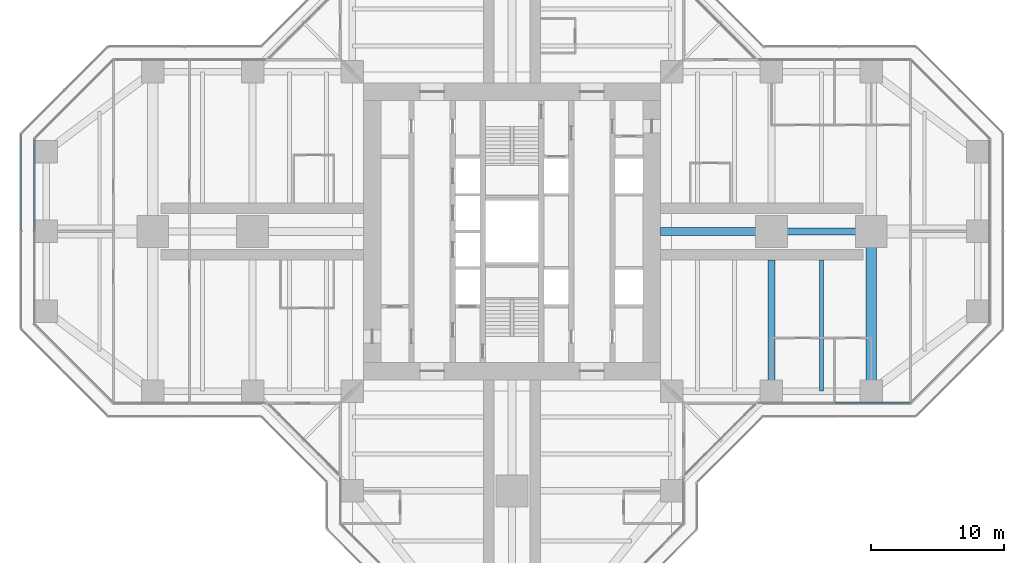
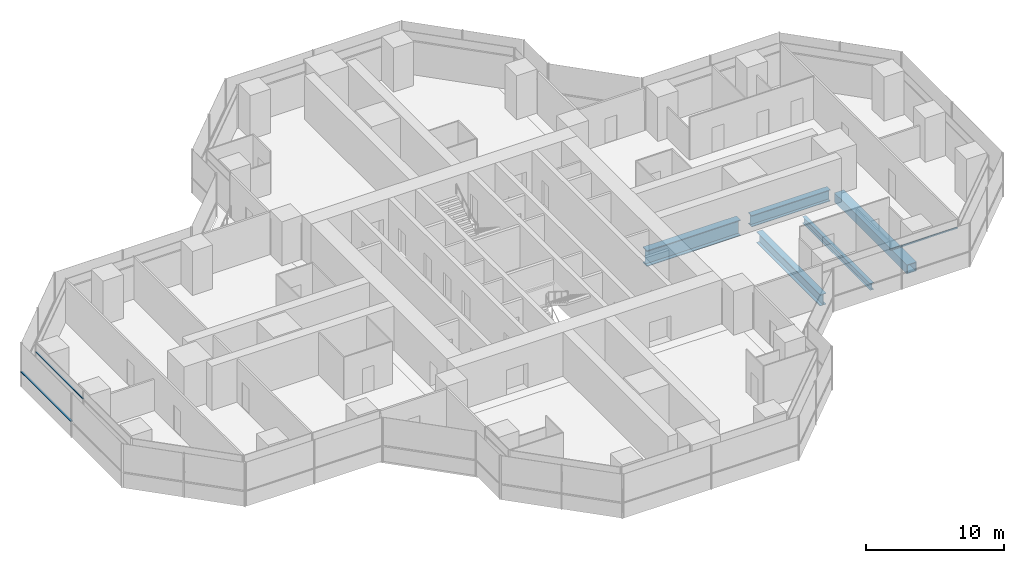
# One storey, part 6 of 20: 5 beams, 3 members, 3 elements without a shape of their own.
"""IFC4 building model written with IfcOpenShell, lengths in metres."""

from ifc_helpers import new_model, si_unit, direction, frame, origin, origin_2d, place, context, subcontext, project, spatial, rectangle, hollow_rectangle, i_section, extrude, material, material_profile, profile_set, type_object, element, aggregate, save


model = new_model("IFC4")

# Units and contexts
model_context = context("Model", 3, precision=1e-05, world=origin(), true_north=direction((0.0, 1.0)))
body_context = subcontext(model_context, "Body", "Model", "MODEL_VIEW")
ifc_project = project(units=[si_unit("LENGTHUNIT", "METRE"), si_unit("AREAUNIT", "SQUARE_METRE"), si_unit("VOLUMEUNIT", "CUBIC_METRE"), si_unit("PLANEANGLEUNIT", "RADIAN"), si_unit("MASSUNIT", "GRAM", prefix="KILO")], contexts=[model_context])

# Site, building, storey
site_placement = place(None, origin())
site = spatial("IfcSite", under=ifc_project, at=site_placement, CompositionType="ELEMENT")
building_placement = place(site_placement, origin())
building = spatial("IfcBuilding", under=site, at=building_placement, Name="Mizan Broadcast Tower", CompositionType="ELEMENT")
storey_placement = place(building_placement, frame((0.0, 0.0, 147.60009765625)))
storey = spatial("IfcBuildingStorey", under=building, at=storey_placement, Name="L33", CompositionType="ELEMENT", Elevation=147.60009765625)

# Beams
ifc_material_1 = material(Name="Steel S460", Category="steel")
ifc_material_profile_1 = material_profile(ifc_material_1, hollow_rectangle(XDim=0.800048828125, YDim=0.800048828125, WallThickness=0.050048828125, at=origin_2d()), Name="BOX 800x800x50")
ifc_profile_set_1 = profile_set([ifc_material_profile_1], Name="Steel S460")
beam_type_1 = type_object("IfcBeamType", Name="GIRDER BOX 800x800x50", PredefinedType="BEAM", material=ifc_profile_set_1)
beam_1_placement = place(storey_placement, frame((27.0, -11.280029296875, -0.530029296875), z_axis=(0.0, 1.0, 0.0), x_axis=(-1.0, 0.0, 0.0)))
element("IfcBeam", 1, at=beam_1_placement, inside=storey, type_object=beam_type_1, Name="Girder BOX 800x800x50 L33 east arm", PredefinedType="BEAM", context=body_context, shape_type="SweptSolid", body=[
    extrude(hollow_rectangle(XDim=0.800048828125, YDim=0.800048828125, WallThickness=0.050048828125, at=origin_2d()), origin(), (0.0, 0.0, 1.0), 10.56005859375),
])
ifc_material_2 = material(Name="Steel S460", Category="steel")
ifc_material_profile_2 = material_profile(ifc_material_2, i_section(OverallWidth=0.5, OverallDepth=1.0, WebThickness=0.02490234375, FlangeThickness=0.050048828125, at=origin_2d()), Name="WPG 1000x500")
ifc_profile_set_2 = profile_set([ifc_material_profile_2], Name="Steel S460")
beam_type_2 = type_object("IfcBeamType", Name="GIRDER WPG 1000x500", PredefinedType="BEAM", material=ifc_profile_set_2)
beam_2_placement = place(storey_placement, frame((19.949951171875, 0.0, -0.630126953125), z_axis=(1.0, 0.0, 0.0), x_axis=(0.0, 1.0, 0.0)))
element("IfcBeam", 2, at=beam_2_placement, inside=storey, type_object=beam_type_2, Name="Girder WPG 1000x500 L33 east arm", PredefinedType="BEAM", context=body_context, shape_type="SweptSolid", body=[
    extrude(i_section(OverallWidth=0.5, OverallDepth=1.0, WebThickness=0.02490234375, FlangeThickness=0.050048828125, at=origin_2d()), origin(), (0.0, 0.0, 1.0), 6.60009765625),
])
beam_3_placement = place(storey_placement, frame((19.5, -11.408935546875, -0.630126953125), z_axis=(0.0, 1.0, 0.0), x_axis=(-1.0, 0.0, 0.0)))
element("IfcBeam", 3, at=beam_3_placement, inside=storey, type_object=beam_type_2, Name="Girder WPG 1000x500 L33 east arm", PredefinedType="BEAM", context=body_context, shape_type="SweptSolid", body=[
    extrude(i_section(OverallWidth=0.5, OverallDepth=1.0, WebThickness=0.02490234375, FlangeThickness=0.050048828125, at=origin_2d()), origin(), (0.0, 0.0, 1.0), 9.259033203125),
])
ifc_material_3 = material(Name="Steel S460", Category="steel")
ifc_material_profile_3 = material_profile(ifc_material_3, i_section(OverallWidth=0.60009765625, OverallDepth=1.39990234375, WebThickness=0.02490234375, FlangeThickness=0.06005859375, at=origin_2d()), Name="WPG 1400x600")
ifc_profile_set_3 = profile_set([ifc_material_profile_3], Name="Steel S460")
beam_type_3 = type_object("IfcBeamType", Name="GIRDER WPG 1400x600", PredefinedType="BEAM", material=ifc_profile_set_3)
beam_4_placement = place(storey_placement, frame((11.14990234375, 0.0, -0.830078125), z_axis=(1.0, 0.0, 0.0), x_axis=(0.0, 1.0, 0.0)))
element("IfcBeam", 4, at=beam_4_placement, inside=storey, type_object=beam_type_3, Name="Girder WPG 1400x600 L33 east arm", PredefinedType="BEAM", context=body_context, shape_type="SweptSolid", body=[
    extrude(i_section(OverallWidth=0.60009765625, OverallDepth=1.39990234375, WebThickness=0.02490234375, FlangeThickness=0.06005859375, at=origin_2d()), origin(), (0.0, 0.0, 1.0), 7.84912109375),
])

# Curtain wall, member
ifc_material_4 = material(Name="Aluminium framed glazing", Category="aluminium")
curtain_wall_type_1 = type_object("IfcCurtainWallType", Name="INNER SKIN MID ZONE", PredefinedType="USERDEFINED", material=ifc_material_4)
curtain_wall_1_placement = place(storey_placement, origin())
curtain_wall_1 = element("IfcCurtainWall", 5, at=curtain_wall_1_placement, inside=storey, type_object=curtain_wall_type_1, Name="Inner skin mid zone L33 E side", ObjectType="INNER SKIN MID ZONE", PredefinedType="USERDEFINED")
ifc_material_5 = material(Name="Aluminium, pale anodised", Category="aluminium")
ifc_material_profile_4 = material_profile(ifc_material_5, rectangle(XDim=0.1201171875, YDim=0.06005859375, at=origin_2d()), Name="TRANSOM 120x60")
ifc_profile_set_4 = profile_set([ifc_material_profile_4], Name="Aluminium, pale anodised")
member_type_1 = type_object("IfcMemberType", Name="INNER SKIN TRANSOM 60x120", PredefinedType="USERDEFINED", material=ifc_profile_set_4)
member_1_placement = place(storey_placement, frame((24.25927734375, -12.89990234375, 3.02978515625), z_axis=(1.0, 0.0, 0.0), x_axis=(0.0, 1.0, 0.0)))
member_1 = element("IfcMember", 6, at=member_1_placement, type_object=member_type_1, Name="Inner skin mid zone L33 E side transom 2.1", ObjectType="TRANSOM", PredefinedType="USERDEFINED", context=body_context, shape_type="SweptSolid", body=[
    extrude(rectangle(XDim=0.1201171875, YDim=0.06005859375, at=origin_2d()), origin(), (0.0, 0.0, 1.0), 5.639404296875),
])
aggregate(curtain_wall_1, [member_1])

curtain_wall_2_placement = place(storey_placement, origin())
curtain_wall_2 = element("IfcCurtainWall", 7, at=curtain_wall_2_placement, inside=storey, type_object=curtain_wall_type_1, Name="Inner skin mid zone L33 W end", ObjectType="INNER SKIN MID ZONE", PredefinedType="USERDEFINED")
member_2_placement = place(storey_placement, frame((-35.89990234375, 6.898681640625, 3.02978515625), z_axis=(0.0, -1.0, 0.0), x_axis=(1.0, 0.0, 0.0)))
member_2 = element("IfcMember", 8, at=member_2_placement, type_object=member_type_1, Name="Inner skin mid zone L33 W end transom 1.1", ObjectType="TRANSOM", PredefinedType="USERDEFINED", context=body_context, shape_type="SweptSolid", body=[
    extrude(rectangle(XDim=0.1201171875, YDim=0.06005859375, at=origin_2d()), origin(), (0.0, 0.0, 1.0), 6.86865234375),
])
aggregate(curtain_wall_2, [member_2])

ifc_material_6 = material(Name="Aluminium framed glazing", Category="aluminium")
curtain_wall_type_2 = type_object("IfcCurtainWallType", Name="OUTER SKIN", PredefinedType="USERDEFINED", material=ifc_material_6)
curtain_wall_3_placement = place(storey_placement, origin())
curtain_wall_3 = element("IfcCurtainWall", 9, at=curtain_wall_3_placement, inside=storey, type_object=curtain_wall_type_2, Name="Outer skin L33 W end", ObjectType="OUTER SKIN", PredefinedType="USERDEFINED")
ifc_material_7 = material(Name="Aluminium, pale anodised", Category="aluminium")
ifc_material_profile_5 = material_profile(ifc_material_7, rectangle(XDim=0.159912109375, YDim=0.06005859375, at=origin_2d()), Name="TRANSOM 160x60")
ifc_profile_set_5 = profile_set([ifc_material_profile_5], Name="Aluminium, pale anodised")
member_type_2 = type_object("IfcMemberType", Name="OUTER SKIN TRANSOM 60x160", PredefinedType="USERDEFINED", material=ifc_profile_set_5)
member_3_placement = place(storey_placement, frame((-36.89990234375, 7.292724609375, 1.39990234375), z_axis=(0.0, -1.0, 0.0), x_axis=(1.0, 0.0, 0.0)))
member_3 = element("IfcMember", 10, at=member_3_placement, type_object=member_type_2, Name="Outer skin L33 W end transom 1.1", ObjectType="TRANSOM", PredefinedType="USERDEFINED", context=body_context, shape_type="SweptSolid", body=[
    extrude(rectangle(XDim=0.159912109375, YDim=0.06005859375, at=origin_2d()), origin(), (0.0, 0.0, 1.0), 7.252685546875),
])
aggregate(curtain_wall_3, [member_3])

# Beam
ifc_material_8 = material(Name="Steel S355", Category="steel")
ifc_material_profile_6 = material_profile(ifc_material_8, i_section(OverallWidth=0.300048828125, OverallDepth=0.590087890625, WebThickness=0.012939453125, FlangeThickness=0.02490234375, FilletRadius=0.027099609375, at=origin_2d()), Name="HEA 600")
ifc_profile_set_6 = profile_set([ifc_material_profile_6], Name="Steel S355")
beam_type_4 = type_object("IfcBeamType", Name="SECONDARY BEAM HEA 600", PredefinedType="JOIST", material=ifc_profile_set_6)
beam_5_placement = place(storey_placement, frame((23.25, -12.0, -0.425048828125), z_axis=(0.0, 1.0, 0.0), x_axis=(-1.0, 0.0, 0.0)))
element("IfcBeam", 11, at=beam_5_placement, inside=storey, type_object=beam_type_4, Name="Secondary beam HEA 600 L33 east arm", PredefinedType="JOIST", context=body_context, shape_type="SweptSolid", body=[
    extrude(i_section(OverallWidth=0.300048828125, OverallDepth=0.590087890625, WebThickness=0.012939453125, FlangeThickness=0.02490234375, FilletRadius=0.027099609375, at=origin_2d()), origin(), (0.0, 0.0, 1.0), 9.85009765625),
])

save(model, "model.ifc")
